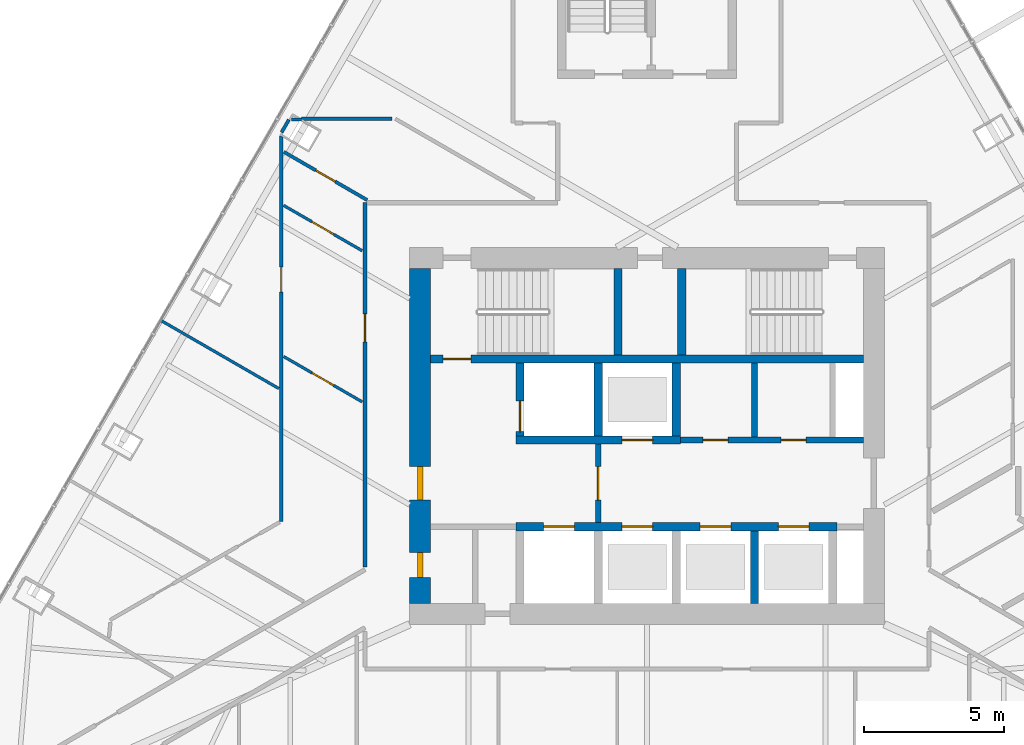
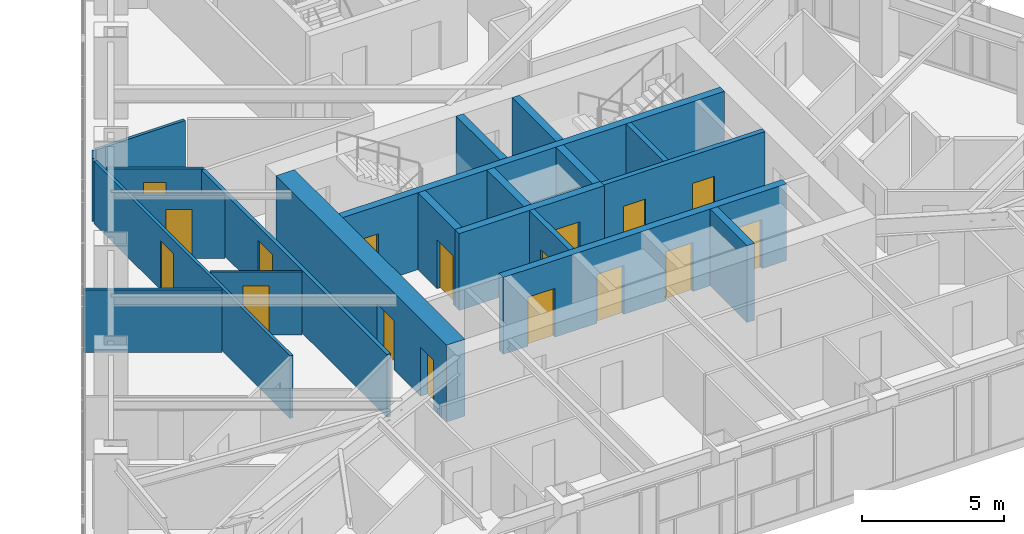
# One storey, part 22 of 26: 22 walls, 17 doors, 17 openings.
"""IFC4 building model written with IfcOpenShell, lengths in metres."""

from ifc_helpers import new_model, si_unit, direction, frame, frame_2d, origin, place, context, subcontext, project, spatial, rectangle, extrude, material, layer, layer_set, type_object, element, fill, save


model = new_model("IFC4")

# Units and contexts
model_context = context("Model", 3, precision=1e-05, world=origin(), true_north=direction((0.0, 1.0)))
body_context = subcontext(model_context, "Body", "Model", "MODEL_VIEW")
ifc_project = project(units=[si_unit("LENGTHUNIT", "METRE"), si_unit("AREAUNIT", "SQUARE_METRE"), si_unit("VOLUMEUNIT", "CUBIC_METRE"), si_unit("PLANEANGLEUNIT", "RADIAN"), si_unit("MASSUNIT", "GRAM", prefix="KILO")], contexts=[model_context])

# Site, building, storey
site_placement = place(None, origin())
site = spatial("IfcSite", under=ifc_project, at=site_placement, CompositionType="ELEMENT")
building_placement = place(site_placement, origin())
building = spatial("IfcBuilding", under=site, at=building_placement, Name="Firuza Gate Tower and Library", CompositionType="ELEMENT")
storey_placement = place(building_placement, frame((0.0, 0.0, 288.10009765625)))
storey = spatial("IfcBuildingStorey", under=building, at=storey_placement, Name="L69", CompositionType="ELEMENT", Elevation=288.10009765625)

# Wall, openings, doors
ifc_material_1 = material(Name="Plasterboard on steel studs", Category="steel")
ifc_layer_1 = layer(ifc_material_1, 0.199951171875)
ifc_layer_set_1 = layer_set([ifc_layer_1], Name="Core partition 200 EI 120")
wall_type_1 = type_object("IfcWallType", Name="Core partition 200 EI 120", PredefinedType="PARTITIONING", material=ifc_layer_set_1)
wall_1_placement = place(storey_placement, frame((76.199951171875, 74.85009765625, 0.0), z_axis=(0.0, 0.0, 1.0), x_axis=(1.0, 0.0, 0.0)))
wall_1 = element("IfcWall", 1, at=wall_1_placement, inside=storey, type_object=wall_type_1, Name="Core partition L69 3", PredefinedType="PARTITIONING", context=body_context, shape_type="SweptSolid", body=[
    extrude(rectangle(XDim=6.550048828125, YDim=0.199951171875, at=frame_2d((3.27490234375, 0.0))), origin(), (0.0, 0.0, 1.0), 3.2998046875),
])
opening_1_placement = place(wall_1_placement, frame((0.800048828125, 0.0, 0.0)))
opening_1 = element("IfcOpeningElement", 2, at=opening_1_placement, cuts=wall_1, Name="Opening L69-K19", PredefinedType="OPENING", context=body_context, shape_type="SweptSolid", body=[
    extrude(rectangle(XDim=0.89990234375, YDim=2.10009765625, at=frame_2d((0.449951171875, 1.050048828125))), frame((0.0, 0.10986328125, 0.0), z_axis=(0.0, -1.0, 0.0), x_axis=(1.0, 0.0, 0.0)), (0.0, 0.0, 1.0), 0.219970703125),
])
opening_2_placement = place(wall_1_placement, frame((3.60009765625, 0.0, 0.0)))
opening_2 = element("IfcOpeningElement", 3, at=opening_2_placement, cuts=wall_1, Name="Opening L69-K20", PredefinedType="OPENING", context=body_context, shape_type="SweptSolid", body=[
    extrude(rectangle(XDim=0.89990234375, YDim=2.10009765625, at=frame_2d((0.449951171875, 1.050048828125))), frame((0.0, 0.10986328125, 0.0), z_axis=(0.0, -1.0, 0.0), x_axis=(1.0, 0.0, 0.0)), (0.0, 0.0, 1.0), 0.219970703125),
])
ifc_material_2 = material(Name="Steel", Category="steel")
door_type_1 = type_object("IfcDoorType", Name="Fire door 900x2100 FD30S", OperationType="NOTDEFINED", PredefinedType="DOOR", material=ifc_material_2)
door_1_placement = place(opening_1_placement, origin())
door_1 = element("IfcDoor", 4, at=door_1_placement, inside=storey, type_object=door_type_1, Name="Door L69-K19", OperationType="SINGLE_SWING_RIGHT", OverallHeight=2.10009765625, OverallWidth=0.89990234375, PredefinedType="DOOR", context=body_context, shape_type="SweptSolid", body=[
    extrude(rectangle(XDim=0.89990234375, YDim=2.10009765625, at=frame_2d((0.449951171875, 1.050048828125))), frame((0.0, 0.02490234375, 0.0), z_axis=(0.0, -1.0, 0.0), x_axis=(1.0, 0.0, 0.0)), (0.0, 0.0, 1.0), 0.050048828125),
])
fill(opening_1, door_1)
door_2_placement = place(opening_2_placement, origin())
door_2 = element("IfcDoor", 5, at=door_2_placement, inside=storey, type_object=door_type_1, Name="Door L69-K20", OperationType="SINGLE_SWING_LEFT", OverallHeight=2.10009765625, OverallWidth=0.89990234375, PredefinedType="DOOR", context=body_context, shape_type="SweptSolid", body=[
    extrude(rectangle(XDim=0.89990234375, YDim=2.10009765625, at=frame_2d((0.449951171875, 1.050048828125))), frame((0.0, 0.02490234375, 0.0), z_axis=(0.0, -1.0, 0.0), x_axis=(1.0, 0.0, 0.0)), (0.0, 0.0, 1.0), 0.050048828125),
])
fill(opening_2, door_2)

# Wall
wall_2_placement = place(storey_placement, frame((78.85009765625, 74.949951171875, 0.0), z_axis=(0.0, 0.0, 1.0), x_axis=(0.0, 1.0, 0.0)))
element("IfcWall", 6, at=wall_2_placement, inside=storey, type_object=wall_type_1, Name="Core partition L69 6", PredefinedType="PARTITIONING", context=body_context, shape_type="SweptSolid", body=[
    extrude(rectangle(XDim=2.650146484375, YDim=0.199951171875, at=frame_2d((1.3251953125, 0.0))), origin(), (0.0, 0.0, 1.0), 3.2998046875),
])

# Wall, opening, door
ifc_material_3 = material(Name="Plasterboard on steel studs", Category="steel")
ifc_layer_2 = layer(ifc_material_3, 0.199951171875)
ifc_layer_set_2 = layer_set([ifc_layer_2], Name="Core partition 200 EI 60")
wall_type_2 = type_object("IfcWallType", Name="Core partition 200 EI 60", PredefinedType="PARTITIONING", material=ifc_layer_set_2)
wall_3_placement = place(storey_placement, frame((73.25, 71.89990234375, 0.0), z_axis=(0.0, 0.0, 1.0), x_axis=(0.0, 1.0, 0.0)))
wall_3 = element("IfcWall", 7, at=wall_3_placement, inside=storey, type_object=wall_type_2, Name="Core partition L69 5", PredefinedType="PARTITIONING", context=body_context, shape_type="SweptSolid", body=[
    extrude(rectangle(XDim=2.800048828125, YDim=0.199951171875, at=frame_2d((1.39990234375, 0.0))), origin(), (0.0, 0.0, 1.0), 3.2998046875),
])
opening_3_placement = place(wall_3_placement, frame((0.800048828125, 0.0, 0.0)))
opening_3 = element("IfcOpeningElement", 8, at=opening_3_placement, cuts=wall_3, Name="Opening L69-K14", PredefinedType="OPENING", context=body_context, shape_type="SweptSolid", body=[
    extrude(rectangle(XDim=1.199951171875, YDim=2.10009765625, at=frame_2d((0.60009765625, 1.050048828125))), frame((0.0, 0.10986328125, 0.0), z_axis=(0.0, -1.0, 0.0), x_axis=(1.0, 0.0, 0.0)), (0.0, 0.0, 1.0), 0.219970703125),
])
ifc_material_4 = material(Name="Steel", Category="steel")
door_type_2 = type_object("IfcDoorType", Name="Fire door 1200x2100 FD90S", OperationType="NOTDEFINED", PredefinedType="DOOR", material=ifc_material_4)
door_3_placement = place(opening_3_placement, origin())
door_3 = element("IfcDoor", 9, at=door_3_placement, inside=storey, type_object=door_type_2, Name="Door L69-K14", OperationType="SINGLE_SWING_LEFT", OverallHeight=2.10009765625, OverallWidth=1.199951171875, PredefinedType="DOOR", context=body_context, shape_type="SweptSolid", body=[
    extrude(rectangle(XDim=1.199951171875, YDim=2.10009765625, at=frame_2d((0.60009765625, 1.050048828125))), frame((0.0, 0.02490234375, 0.0), z_axis=(0.0, -1.0, 0.0), x_axis=(1.0, 0.0, 0.0)), (0.0, 0.0, 1.0), 0.050048828125),
])
fill(opening_3, door_3)

# Wall, openings, doors
ifc_material_5 = material(Name="Concrete C60/75", Category="concrete")
ifc_layer_3 = layer(ifc_material_5, 0.300048828125)
ifc_layer_set_3 = layer_set([ifc_layer_3], Name="Core wall 300 C60/75")
wall_type_3 = type_object("IfcWallType", Name="Core wall 300 C60/75", PredefinedType="SHEAR", material=ifc_layer_set_3)
wall_4_placement = place(storey_placement, frame((70.300048828125, 71.75, 0.0), z_axis=(0.0, 0.0, 1.0), x_axis=(1.0, 0.0, 0.0)))
wall_4 = element("IfcWall", 10, at=wall_4_placement, inside=storey, type_object=wall_type_3, Name="Core wall L69 5", PredefinedType="SHEAR", context=body_context, shape_type="SweptSolid", body=[
    extrude(rectangle(XDim=11.5, YDim=0.300048828125, at=frame_2d((5.75, 0.0))), origin(), (0.0, 0.0, 1.0), 3.2998046875),
])
opening_4_placement = place(wall_4_placement, frame((1.0, 0.0, 0.0)))
opening_4 = element("IfcOpeningElement", 11, at=opening_4_placement, cuts=wall_4, Name="Opening LD-FF1-L69", PredefinedType="OPENING", context=body_context, shape_type="SweptSolid", body=[
    extrude(rectangle(XDim=1.10009765625, YDim=2.10009765625, at=frame_2d((0.550048828125, 1.050048828125))), frame((0.0, 0.16015625, 0.0), z_axis=(0.0, -1.0, 0.0), x_axis=(1.0, 0.0, 0.0)), (0.0, 0.0, 1.0), 0.320068359375),
])
opening_5_placement = place(wall_4_placement, frame((3.800048828125, 0.0, 0.0)))
opening_5 = element("IfcOpeningElement", 12, at=opening_5_placement, cuts=wall_4, Name="Opening LD-HR1-L69", PredefinedType="OPENING", context=body_context, shape_type="SweptSolid", body=[
    extrude(rectangle(XDim=1.10009765625, YDim=2.10009765625, at=frame_2d((0.550048828125, 1.050048828125))), frame((0.0, 0.16015625, 0.0), z_axis=(0.0, -1.0, 0.0), x_axis=(1.0, 0.0, 0.0)), (0.0, 0.0, 1.0), 0.320068359375),
])
opening_6_placement = place(wall_4_placement, frame((6.60009765625, 0.0, 0.0)))
opening_6 = element("IfcOpeningElement", 13, at=opening_6_placement, cuts=wall_4, Name="Opening LD-HR2-L69", PredefinedType="OPENING", context=body_context, shape_type="SweptSolid", body=[
    extrude(rectangle(XDim=1.10009765625, YDim=2.10009765625, at=frame_2d((0.550048828125, 1.050048828125))), frame((0.0, 0.16015625, 0.0), z_axis=(0.0, -1.0, 0.0), x_axis=(1.0, 0.0, 0.0)), (0.0, 0.0, 1.0), 0.320068359375),
])
opening_7_placement = place(wall_4_placement, frame((9.39990234375, 0.0, 0.0)))
opening_7 = element("IfcOpeningElement", 14, at=opening_7_placement, cuts=wall_4, Name="Opening LD-HR3-L69", PredefinedType="OPENING", context=body_context, shape_type="SweptSolid", body=[
    extrude(rectangle(XDim=1.10009765625, YDim=2.10009765625, at=frame_2d((0.550048828125, 1.050048828125))), frame((0.0, 0.16015625, 0.0), z_axis=(0.0, -1.0, 0.0), x_axis=(1.0, 0.0, 0.0)), (0.0, 0.0, 1.0), 0.320068359375),
])
ifc_material_6 = material(Name="Stainless steel", Category="steel")
door_type_3 = type_object("IfcDoorType", Name="Lift landing door 1100x2100", OperationType="DOUBLE_DOOR_SLIDING", PredefinedType="DOOR", material=ifc_material_6)
door_4_placement = place(opening_4_placement, origin())
door_4 = element("IfcDoor", 15, at=door_4_placement, inside=storey, type_object=door_type_3, Name="Landing door FF1 L69", OperationType="DOUBLE_DOOR_SLIDING", OverallHeight=2.10009765625, OverallWidth=1.10009765625, PredefinedType="DOOR", context=body_context, shape_type="SweptSolid", body=[
    extrude(rectangle(XDim=1.10009765625, YDim=2.10009765625, at=frame_2d((0.550048828125, 1.050048828125))), frame((0.0, 0.02490234375, 0.0), z_axis=(0.0, -1.0, 0.0), x_axis=(1.0, 0.0, 0.0)), (0.0, 0.0, 1.0), 0.050048828125),
])
fill(opening_4, door_4)
door_5_placement = place(opening_5_placement, origin())
door_5 = element("IfcDoor", 16, at=door_5_placement, inside=storey, type_object=door_type_3, Name="Landing door HR1 L69", OperationType="DOUBLE_DOOR_SLIDING", OverallHeight=2.10009765625, OverallWidth=1.10009765625, PredefinedType="DOOR", context=body_context, shape_type="SweptSolid", body=[
    extrude(rectangle(XDim=1.10009765625, YDim=2.10009765625, at=frame_2d((0.550048828125, 1.050048828125))), frame((0.0, 0.02490234375, 0.0), z_axis=(0.0, -1.0, 0.0), x_axis=(1.0, 0.0, 0.0)), (0.0, 0.0, 1.0), 0.050048828125),
])
fill(opening_5, door_5)
door_6_placement = place(opening_6_placement, origin())
door_6 = element("IfcDoor", 17, at=door_6_placement, inside=storey, type_object=door_type_3, Name="Landing door HR2 L69", OperationType="DOUBLE_DOOR_SLIDING", OverallHeight=2.10009765625, OverallWidth=1.10009765625, PredefinedType="DOOR", context=body_context, shape_type="SweptSolid", body=[
    extrude(rectangle(XDim=1.10009765625, YDim=2.10009765625, at=frame_2d((0.550048828125, 1.050048828125))), frame((0.0, 0.02490234375, 0.0), z_axis=(0.0, -1.0, 0.0), x_axis=(1.0, 0.0, 0.0)), (0.0, 0.0, 1.0), 0.050048828125),
])
fill(opening_6, door_6)
door_7_placement = place(opening_7_placement, origin())
door_7 = element("IfcDoor", 18, at=door_7_placement, inside=storey, type_object=door_type_3, Name="Landing door HR3 L69", OperationType="DOUBLE_DOOR_SLIDING", OverallHeight=2.10009765625, OverallWidth=1.10009765625, PredefinedType="DOOR", context=body_context, shape_type="SweptSolid", body=[
    extrude(rectangle(XDim=1.10009765625, YDim=2.10009765625, at=frame_2d((0.550048828125, 1.050048828125))), frame((0.0, 0.02490234375, 0.0), z_axis=(0.0, -1.0, 0.0), x_axis=(1.0, 0.0, 0.0)), (0.0, 0.0, 1.0), 0.050048828125),
])
fill(opening_7, door_7)

# Wall, opening, door
wall_5_placement = place(storey_placement, frame((70.300048828125, 74.85009765625, 0.0), z_axis=(0.0, 0.0, 1.0), x_axis=(1.0, 0.0, 0.0)))
wall_5 = element("IfcWall", 19, at=wall_5_placement, inside=storey, type_object=wall_type_3, Name="Core wall L69 6", PredefinedType="SHEAR", context=body_context, shape_type="SweptSolid", body=[
    extrude(rectangle(XDim=5.89990234375, YDim=0.300048828125, at=frame_2d((2.949951171875, 0.0))), origin(), (0.0, 0.0, 1.0), 3.2998046875),
])
opening_8_placement = place(wall_5_placement, frame((3.800048828125, 0.0, 0.0)))
opening_8 = element("IfcOpeningElement", 20, at=opening_8_placement, cuts=wall_5, Name="Opening LD-HR4-L69", PredefinedType="OPENING", context=body_context, shape_type="SweptSolid", body=[
    extrude(rectangle(XDim=1.10009765625, YDim=2.10009765625, at=frame_2d((0.550048828125, 1.050048828125))), frame((0.0, 0.16015625, 0.0), z_axis=(0.0, -1.0, 0.0), x_axis=(1.0, 0.0, 0.0)), (0.0, 0.0, 1.0), 0.320068359375),
])
door_8_placement = place(opening_8_placement, origin())
door_8 = element("IfcDoor", 21, at=door_8_placement, inside=storey, type_object=door_type_3, Name="Landing door HR4 L69", OperationType="DOUBLE_DOOR_SLIDING", OverallHeight=2.10009765625, OverallWidth=1.10009765625, PredefinedType="DOOR", context=body_context, shape_type="SweptSolid", body=[
    extrude(rectangle(XDim=1.10009765625, YDim=2.10009765625, at=frame_2d((0.550048828125, 1.050048828125))), frame((0.0, 0.02490234375, 0.0), z_axis=(0.0, -1.0, 0.0), x_axis=(1.0, 0.0, 0.0)), (0.0, 0.0, 1.0), 0.050048828125),
])
fill(opening_8, door_8)

wall_6_placement = place(storey_placement, frame((70.449951171875, 75.0, 0.0), z_axis=(0.0, 0.0, 1.0), x_axis=(0.0, 1.0, 0.0)))
wall_6 = element("IfcWall", 22, at=wall_6_placement, inside=storey, type_object=wall_type_3, Name="Core wall L69 8", PredefinedType="SHEAR", context=body_context, shape_type="SweptSolid", body=[
    extrude(rectangle(XDim=2.60009765625, YDim=0.300048828125, at=frame_2d((1.300048828125, 0.0))), origin(), (0.0, 0.0, 1.0), 3.2998046875),
])
opening_9_placement = place(wall_6_placement, frame((0.14990234375, 0.0, 0.0)))
opening_9 = element("IfcOpeningElement", 23, at=opening_9_placement, cuts=wall_6, Name="Opening LD-FF2-L69", PredefinedType="OPENING", context=body_context, shape_type="SweptSolid", body=[
    extrude(rectangle(XDim=1.10009765625, YDim=2.10009765625, at=frame_2d((0.550048828125, 1.050048828125))), frame((0.0, 0.16015625, 0.0), z_axis=(0.0, -1.0, 0.0), x_axis=(1.0, 0.0, 0.0)), (0.0, 0.0, 1.0), 0.320068359375),
])
door_9_placement = place(opening_9_placement, origin())
door_9 = element("IfcDoor", 24, at=door_9_placement, inside=storey, type_object=door_type_3, Name="Landing door FF2 L69", OperationType="DOUBLE_DOOR_SLIDING", OverallHeight=2.10009765625, OverallWidth=1.10009765625, PredefinedType="DOOR", context=body_context, shape_type="SweptSolid", body=[
    extrude(rectangle(XDim=1.10009765625, YDim=2.10009765625, at=frame_2d((0.550048828125, 1.050048828125))), frame((0.0, 0.02490234375, 0.0), z_axis=(0.0, -1.0, 0.0), x_axis=(1.0, 0.0, 0.0)), (0.0, 0.0, 1.0), 0.050048828125),
])
fill(opening_9, door_9)

# Walls
for number, where, z_axis, x_axis, name in (
    (25, (73.25, 75.0, 0.0), (0.0, 0.0, 1.0), (0.0, 1.0, 0.0), "Core wall L69 10"),
    (26, (76.050048828125, 75.0, 0.0), (0.0, 0.0, 1.0), (0.0, 1.0, 0.0), "Core wall L69 12"),
    (27, (78.85009765625, 69.0, 0.0), (0.0, 0.0, 1.0), (0.0, 1.0, 0.0), "Core wall L69 13"),
):
    element("IfcWall", number, at=place(storey_placement, frame(where, z_axis=z_axis, x_axis=x_axis)), inside=storey, type_object=wall_type_3, Name=name, PredefinedType="SHEAR", context=body_context, shape_type="SweptSolid", body=[
        extrude(rectangle(XDim=2.60009765625, YDim=0.300048828125, at=frame_2d((1.300048828125, 0.0))), origin(), (0.0, 0.0, 1.0), 3.2998046875),
    ])

# Wall, opening, door
wall_7_placement = place(storey_placement, frame((67.25, 77.75, 0.0), z_axis=(0.0, 0.0, 1.0), x_axis=(1.0, 0.0, 0.0)))
wall_7 = element("IfcWall", 28, at=wall_7_placement, inside=storey, type_object=wall_type_3, Name="Core wall L69 15", PredefinedType="SHEAR", context=body_context, shape_type="SweptSolid", body=[
    extrude(rectangle(XDim=15.5, YDim=0.300048828125, at=frame_2d((7.75, 0.0))), origin(), (0.0, 0.0, 1.0), 3.2998046875),
])
opening_10_placement = place(wall_7_placement, frame((0.445068359375, 0.0, 0.0)))
opening_10 = element("IfcOpeningElement", 29, at=opening_10_placement, cuts=wall_7, Name="Opening L69-K08", PredefinedType="OPENING", context=body_context, shape_type="SweptSolid", body=[
    extrude(rectangle(XDim=1.0, YDim=2.10009765625, at=frame_2d((0.5, 1.050048828125))), frame((0.0, 0.16015625, 0.0), z_axis=(0.0, -1.0, 0.0), x_axis=(1.0, 0.0, 0.0)), (0.0, 0.0, 1.0), 0.320068359375),
])
ifc_material_7 = material(Name="Steel", Category="steel")
door_type_4 = type_object("IfcDoorType", Name="Fire door 1000x2100 FD90", OperationType="NOTDEFINED", PredefinedType="DOOR", material=ifc_material_7)
door_10_placement = place(opening_10_placement, origin())
door_10 = element("IfcDoor", 30, at=door_10_placement, inside=storey, type_object=door_type_4, Name="Door L69-K08", OperationType="SINGLE_SWING_LEFT", OverallHeight=2.10009765625, OverallWidth=1.0, PredefinedType="DOOR", context=body_context, shape_type="SweptSolid", body=[
    extrude(rectangle(XDim=1.0, YDim=2.10009765625, at=frame_2d((0.5, 1.050048828125))), frame((0.0, 0.02490234375, 0.0), z_axis=(0.0, -1.0, 0.0), x_axis=(1.0, 0.0, 0.0)), (0.0, 0.0, 1.0), 0.050048828125),
])
fill(opening_10, door_10)

# Walls
for number, where, z_axis, x_axis, name in (
    (31, (73.9599609375, 77.89990234375, 0.0), (0.0, 0.0, 1.0), (0.0, 1.0, 0.0), "Core wall L69 16"),
    (32, (76.239990234375, 77.89990234375, 0.0), (0.0, 0.0, 1.0), (0.0, 1.0, 0.0), "Core wall L69 17"),
):
    element("IfcWall", number, at=place(storey_placement, frame(where, z_axis=z_axis, x_axis=x_axis)), inside=storey, type_object=wall_type_3, Name=name, PredefinedType="SHEAR", context=body_context, shape_type="SweptSolid", body=[
        extrude(rectangle(XDim=3.10009765625, YDim=0.300048828125, at=frame_2d((1.550048828125, 0.0))), origin(), (0.0, 0.0, 1.0), 3.2998046875),
    ])

# Wall, openings, doors
ifc_material_8 = material(Name="Concrete C60/75", Category="concrete")
ifc_layer_4 = layer(ifc_material_8, 0.75)
ifc_layer_set_4 = layer_set([ifc_layer_4], Name="Core wall 750 C60/75")
wall_type_4 = type_object("IfcWallType", Name="Core wall 750 C60/75", PredefinedType="SHEAR", material=ifc_layer_set_4)
wall_8_placement = place(storey_placement, frame((66.875, 69.0, 0.0), z_axis=(0.0, 0.0, 1.0), x_axis=(0.0, 1.0, 0.0)))
wall_8 = element("IfcWall", 33, at=wall_8_placement, inside=storey, type_object=wall_type_4, Name="Core wall L69 3", PredefinedType="SHEAR", context=body_context, shape_type="SweptSolid", body=[
    extrude(rectangle(XDim=12.0, YDim=0.75, at=frame_2d((6.0, 0.0))), origin(), (0.0, 0.0, 1.0), 3.2998046875),
])
opening_11_placement = place(wall_8_placement, frame((3.699951171875, 0.0, 0.0)))
opening_11 = element("IfcOpeningElement", 34, at=opening_11_placement, cuts=wall_8, Name="Opening L69-K15", PredefinedType="OPENING", context=body_context, shape_type="SweptSolid", body=[
    extrude(rectangle(XDim=1.199951171875, YDim=2.10009765625, at=frame_2d((0.60009765625, 1.050048828125))), frame((0.0, 0.385009765625, 0.0), z_axis=(0.0, -1.0, 0.0), x_axis=(1.0, 0.0, 0.0)), (0.0, 0.0, 1.0), 0.77001953125),
])
opening_12_placement = place(wall_8_placement, frame((0.925048828125, 0.0, 0.0)))
opening_12 = element("IfcOpeningElement", 35, at=opening_12_placement, cuts=wall_8, Name="Opening L69-K17", PredefinedType="OPENING", context=body_context, shape_type="SweptSolid", body=[
    extrude(rectangle(XDim=0.89990234375, YDim=2.10009765625, at=frame_2d((0.449951171875, 1.050048828125))), frame((0.0, 0.385009765625, 0.0), z_axis=(0.0, -1.0, 0.0), x_axis=(1.0, 0.0, 0.0)), (0.0, 0.0, 1.0), 0.77001953125),
])
door_11_placement = place(opening_11_placement, origin())
door_11 = element("IfcDoor", 36, at=door_11_placement, inside=storey, type_object=door_type_2, Name="Door L69-K15", OperationType="SINGLE_SWING_RIGHT", OverallHeight=2.10009765625, OverallWidth=1.199951171875, PredefinedType="DOOR", context=body_context, shape_type="SweptSolid", body=[
    extrude(rectangle(XDim=1.199951171875, YDim=2.10009765625, at=frame_2d((0.60009765625, 1.050048828125))), frame((0.0, 0.094970703125, 0.0), z_axis=(0.0, -1.0, 0.0), x_axis=(1.0, 0.0, 0.0)), (0.0, 0.0, 1.0), 0.18994140625),
])
fill(opening_11, door_11)
door_12_placement = place(opening_12_placement, origin())
door_12 = element("IfcDoor", 37, at=door_12_placement, inside=storey, type_object=door_type_1, Name="Door L69-K17", OperationType="SINGLE_SWING_RIGHT", OverallHeight=2.10009765625, OverallWidth=0.89990234375, PredefinedType="DOOR", context=body_context, shape_type="SweptSolid", body=[
    extrude(rectangle(XDim=0.89990234375, YDim=2.10009765625, at=frame_2d((0.449951171875, 1.050048828125))), frame((0.0, 0.094970703125, 0.0), z_axis=(0.0, -1.0, 0.0), x_axis=(1.0, 0.0, 0.0)), (0.0, 0.0, 1.0), 0.18994140625),
])
fill(opening_12, door_12)

# Wall, opening, door
ifc_material_9 = material(Name="Gypsum board partition")
ifc_layer_5 = layer(ifc_material_9, 0.14990234375)
ifc_layer_set_5 = layer_set([ifc_layer_5], Name="Corridor wall 150 double board on steel studs")
wall_type_5 = type_object("IfcWallType", Name="Corridor wall 150 double board on steel studs", PredefinedType="PARTITIONING", material=ifc_layer_set_5)
wall_9_placement = place(storey_placement, frame((64.89990234375, 70.294677734375, 0.0), z_axis=(0.0, 0.0, 1.0), x_axis=(0.0, 1.0, 0.0)))
wall_9 = element("IfcWall", 38, at=wall_9_placement, inside=storey, type_object=wall_type_5, Name="f:L69:w058", PredefinedType="PARTITIONING", context=body_context, shape_type="SweptSolid", body=[
    extrude(rectangle(XDim=13.055419921875, YDim=0.14990234375, at=frame_2d((6.52783203125, 0.0))), origin(), (0.0, 0.0, 1.0), 2.699951171875),
])
opening_13_placement = place(wall_9_placement, frame((8.069580078125, 0.0, 0.0)))
opening_13 = element("IfcOpeningElement", 39, at=opening_13_placement, cuts=wall_9, Name="Opening L69-22", PredefinedType="OPENING", context=body_context, shape_type="SweptSolid", body=[
    extrude(rectangle(XDim=1.0, YDim=2.10009765625, at=frame_2d((0.5, 1.050048828125))), frame((0.0, 0.0849609375, 0.0), z_axis=(0.0, -1.0, 0.0), x_axis=(1.0, 0.0, 0.0)), (0.0, 0.0, 1.0), 0.169921875),
])
ifc_material_10 = material(Name="Steel door and timber leaf", Category="steel")
door_type_5 = type_object("IfcDoorType", Name="Fire door 1000 x 2100 steel frame, timber leaf", OperationType="NOTDEFINED", PredefinedType="DOOR", material=ifc_material_10)
door_13_placement = place(opening_13_placement, origin())
door_13 = element("IfcDoor", 40, at=door_13_placement, inside=storey, type_object=door_type_5, Name="f:L69:d022", OperationType="SINGLE_SWING_RIGHT", OverallHeight=2.10009765625, OverallWidth=1.0, PredefinedType="DOOR", context=body_context, shape_type="SweptSolid", body=[
    extrude(rectangle(XDim=1.0, YDim=2.10009765625, at=frame_2d((0.5, 1.050048828125))), frame((0.0, 0.02490234375, 0.0), z_axis=(0.0, -1.0, 0.0), x_axis=(1.0, 0.0, 0.0)), (0.0, 0.0, 1.0), 0.050048828125),
])
fill(opening_13, door_13)

ifc_material_11 = material(Name="Gypsum board partition")
ifc_layer_6 = layer(ifc_material_11, 0.10009765625)
ifc_layer_set_6 = layer_set([ifc_layer_6], Name="Partition 100 gypsum board on steel studs")
wall_type_6 = type_object("IfcWallType", Name="Partition 100 gypsum board on steel studs", PredefinedType="PARTITIONING", material=ifc_layer_set_6)
wall_10_placement = place(storey_placement, frame((61.986083984375, 83.25146484375, 0.0), z_axis=(0.0, 0.0, 1.0), x_axis=(0.866032882975, -0.499987045439, 0.0)))
wall_10 = element("IfcWall", 41, at=wall_10_placement, inside=storey, type_object=wall_type_6, Name="f:L69:w072", PredefinedType="PARTITIONING", context=body_context, shape_type="SweptSolid", body=[
    extrude(rectangle(XDim=3.248046875, YDim=0.10009765625, at=frame_2d((1.6240234375, 0.0))), origin(), (0.0, 0.0, 1.0), 2.699951171875),
])
opening_14_placement = place(wall_10_placement, frame((1.174072265625, 0.0, 0.0)))
opening_14 = element("IfcOpeningElement", 42, at=opening_14_placement, cuts=wall_10, Name="Opening L69-30", PredefinedType="OPENING", context=body_context, shape_type="SweptSolid", body=[
    extrude(rectangle(XDim=0.89990234375, YDim=2.10009765625, at=frame_2d((0.449951171875, 1.050048828125))), frame((0.0, 0.06005859375, 0.0), z_axis=(0.0, -1.0, 0.0), x_axis=(1.0, 0.0, 0.0)), (0.0, 0.0, 1.0), 0.1201171875),
])
ifc_material_12 = material(Name="Timber door", Category="wood")
door_type_6 = type_object("IfcDoorType", Name="Door 900 x 2100 timber leaf", OperationType="NOTDEFINED", PredefinedType="DOOR", material=ifc_material_12)
door_14_placement = place(opening_14_placement, origin())
door_14 = element("IfcDoor", 43, at=door_14_placement, inside=storey, type_object=door_type_6, Name="f:L69:d030", OperationType="SINGLE_SWING_RIGHT", OverallHeight=2.10009765625, OverallWidth=0.89990234375, PredefinedType="DOOR", context=body_context, shape_type="SweptSolid", body=[
    extrude(rectangle(XDim=0.89990234375, YDim=2.10009765625, at=frame_2d((0.449951171875, 1.050048828125))), frame((0.0, 0.02490234375, 0.0), z_axis=(0.0, -1.0, 0.0), x_axis=(1.0, 0.0, 0.0)), (0.0, 0.0, 1.0), 0.050048828125),
])
fill(opening_14, door_14)

wall_11_placement = place(storey_placement, frame((64.798828125, 76.216552734375, 0.0), z_axis=(0.0, 0.0, 1.0), x_axis=(-0.866000336211, 0.500043415797, 0.0)))
wall_11 = element("IfcWall", 44, at=wall_11_placement, inside=storey, type_object=wall_type_6, Name="f:L69:w075", PredefinedType="PARTITIONING", context=body_context, shape_type="SweptSolid", body=[
    extrude(rectangle(XDim=3.248291015625, YDim=0.10009765625, at=frame_2d((1.6240234375, 0.0))), origin(), (0.0, 0.0, 1.0), 2.699951171875),
])
opening_15_placement = place(wall_11_placement, frame((1.174072265625, 0.0, 0.0)))
opening_15 = element("IfcOpeningElement", 45, at=opening_15_placement, cuts=wall_11, Name="Opening L69-32", PredefinedType="OPENING", context=body_context, shape_type="SweptSolid", body=[
    extrude(rectangle(XDim=0.89990234375, YDim=2.10009765625, at=frame_2d((0.449951171875, 1.050048828125))), frame((0.0, 0.06005859375, 0.0), z_axis=(0.0, -1.0, 0.0), x_axis=(1.0, 0.0, 0.0)), (0.0, 0.0, 1.0), 0.1201171875),
])
door_15_placement = place(opening_15_placement, origin())
door_15 = element("IfcDoor", 46, at=door_15_placement, inside=storey, type_object=door_type_6, Name="f:L69:d032", OperationType="SINGLE_SWING_LEFT", OverallHeight=2.10009765625, OverallWidth=0.89990234375, PredefinedType="DOOR", context=body_context, shape_type="SweptSolid", body=[
    extrude(rectangle(XDim=0.89990234375, YDim=2.10009765625, at=frame_2d((0.449951171875, 1.050048828125))), frame((0.0, 0.02490234375, 0.0), z_axis=(0.0, -1.0, 0.0), x_axis=(1.0, 0.0, 0.0)), (0.0, 0.0, 1.0), 0.050048828125),
])
fill(opening_15, door_15)

# Walls
wall_12_placement = place(storey_placement, frame((61.814208984375, 76.69287109375, 0.0), z_axis=(0.0, 0.0, 1.0), x_axis=(-0.866028392017, 0.499994824194, 0.0)))
element("IfcWall", 47, at=wall_12_placement, inside=storey, type_object=wall_type_6, Name="f:L69:w076", PredefinedType="PARTITIONING", context=body_context, shape_type="SweptSolid", body=[
    extrude(rectangle(XDim=4.8623046875, YDim=0.10009765625, at=frame_2d((2.43115234375, 0.0))), origin(), (0.0, 0.0, 1.0), 2.68798828125),
])
ifc_material_13 = material(Name="Gypsum board partition")
ifc_layer_7 = layer(ifc_material_13, 0.1201171875)
ifc_layer_set_7 = layer_set([ifc_layer_7], Name="Wet-area partition 120 moisture-resistant board")
wall_type_7 = type_object("IfcWallType", Name="Wet-area partition 120 moisture-resistant board", PredefinedType="PARTITIONING", material=ifc_layer_set_7)
wall_13_placement = place(storey_placement, frame((62.630615234375, 86.35009765625, 0.0), z_axis=(0.0, 0.0, 1.0), x_axis=(1.0, 0.0, 0.0)))
element("IfcWall", 48, at=wall_13_placement, inside=storey, type_object=wall_type_7, Name="f:L69:w009", PredefinedType="PARTITIONING", context=body_context, shape_type="SweptSolid", body=[
    extrude(rectangle(XDim=3.239501953125, YDim=0.1201171875, at=frame_2d((1.61962890625, 0.0))), origin(), (0.0, 0.0, 1.0), 2.68798828125),
])
wall_14_placement = place(storey_placement, frame((62.26025390625, 86.330078125, 0.0), z_axis=(0.0, 0.0, 1.0), x_axis=(0.99999977296, 0.000673854294, 0.0)))
element("IfcWall", 49, at=wall_14_placement, inside=storey, type_object=wall_type_7, Name="f:L69:w014", PredefinedType="PARTITIONING", context=body_context, shape_type="SweptSolid", body=[
    extrude(rectangle(XDim=0.3623046875, YDim=0.1201171875, at=frame_2d((0.18115234375, 0.0))), origin(), (0.0, 0.0, 1.0), 2.699951171875),
])
wall_15_placement = place(storey_placement, frame((61.911865234375, 85.86767578125, 0.0), z_axis=(0.0, 0.0, 1.0), x_axis=(0.5002312107, 0.865891873066, 0.0)))
element("IfcWall", 50, at=wall_15_placement, inside=storey, type_object=wall_type_7, Name="f:L69:w033", PredefinedType="PARTITIONING", context=body_context, shape_type="SweptSolid", body=[
    extrude(rectangle(XDim=0.526123046875, YDim=0.1201171875, at=frame_2d((0.26318359375, 0.0))), origin(), (0.0, 0.0, 1.0), 2.699951171875),
])

# Wall, opening, door
wall_16_placement = place(storey_placement, frame((61.89990234375, 71.93994140625, 0.0), z_axis=(0.0, 0.0, 1.0), x_axis=(0.0, 1.0, 0.0)))
wall_16 = element("IfcWall", 51, at=wall_16_placement, inside=storey, type_object=wall_type_7, Name="f:L69:w060", PredefinedType="PARTITIONING", context=body_context, shape_type="SweptSolid", body=[
    extrude(rectangle(XDim=13.791748046875, YDim=0.1201171875, at=frame_2d((6.89599609375, 0.0))), origin(), (0.0, 0.0, 1.0), 2.68798828125),
])
opening_16_placement = place(wall_16_placement, frame((8.20556640625, 0.0, 0.0)))
opening_16 = element("IfcOpeningElement", 52, at=opening_16_placement, cuts=wall_16, Name="Opening L69-23", PredefinedType="OPENING", context=body_context, shape_type="SweptSolid", body=[
    extrude(rectangle(XDim=0.89990234375, YDim=2.10009765625, at=frame_2d((0.449951171875, 1.050048828125))), frame((0.0, 0.070068359375, 0.0), z_axis=(0.0, -1.0, 0.0), x_axis=(1.0, 0.0, 0.0)), (0.0, 0.0, 1.0), 0.14013671875),
])
door_16_placement = place(opening_16_placement, origin())
door_16 = element("IfcDoor", 53, at=door_16_placement, inside=storey, type_object=door_type_6, Name="f:L69:d023", OperationType="SINGLE_SWING_RIGHT", OverallHeight=2.10009765625, OverallWidth=0.89990234375, PredefinedType="DOOR", context=body_context, shape_type="SweptSolid", body=[
    extrude(rectangle(XDim=0.89990234375, YDim=2.10009765625, at=frame_2d((0.449951171875, 1.050048828125))), frame((0.0, 0.02490234375, 0.0), z_axis=(0.0, -1.0, 0.0), x_axis=(1.0, 0.0, 0.0)), (0.0, 0.0, 1.0), 0.050048828125),
])
fill(opening_16, door_16)

wall_17_placement = place(storey_placement, frame((61.994873046875, 85.166748046875, 0.0), z_axis=(0.0, 0.0, 1.0), x_axis=(0.86601316637, -0.500021195224, 0.0)))
wall_17 = element("IfcWall", 54, at=wall_17_placement, inside=storey, type_object=wall_type_7, Name="f:L69:w070", PredefinedType="PARTITIONING", context=body_context, shape_type="SweptSolid", body=[
    extrude(rectangle(XDim=3.442626953125, YDim=0.1201171875, at=frame_2d((1.72119140625, 0.0))), origin(), (0.0, 0.0, 1.0), 2.68798828125),
])
opening_17_placement = place(wall_17_placement, frame((1.3212890625, 0.0, 0.0)))
opening_17 = element("IfcOpeningElement", 55, at=opening_17_placement, cuts=wall_17, Name="Opening L69-26", PredefinedType="OPENING", context=body_context, shape_type="SweptSolid", body=[
    extrude(rectangle(XDim=0.800048828125, YDim=2.10009765625, at=frame_2d((0.39990234375, 1.050048828125))), frame((0.0, 0.070068359375, 0.0), z_axis=(0.0, -1.0, 0.0), x_axis=(1.0, 0.0, 0.0)), (0.0, 0.0, 1.0), 0.14013671875),
])
ifc_material_14 = material(Name="Timber door", Category="wood")
door_type_7 = type_object("IfcDoorType", Name="Door 800 x 2100 timber leaf", OperationType="NOTDEFINED", PredefinedType="DOOR", material=ifc_material_14)
door_17_placement = place(opening_17_placement, origin())
door_17 = element("IfcDoor", 56, at=door_17_placement, inside=storey, type_object=door_type_7, Name="f:L69:d026", OperationType="SINGLE_SWING_RIGHT", OverallHeight=2.10009765625, OverallWidth=0.800048828125, PredefinedType="DOOR", context=body_context, shape_type="SweptSolid", body=[
    extrude(rectangle(XDim=0.800048828125, YDim=2.10009765625, at=frame_2d((0.39990234375, 1.050048828125))), frame((0.0, 0.02490234375, 0.0), z_axis=(0.0, -1.0, 0.0), x_axis=(1.0, 0.0, 0.0)), (0.0, 0.0, 1.0), 0.050048828125),
])
fill(opening_17, door_17)

save(model, "model.ifc")
